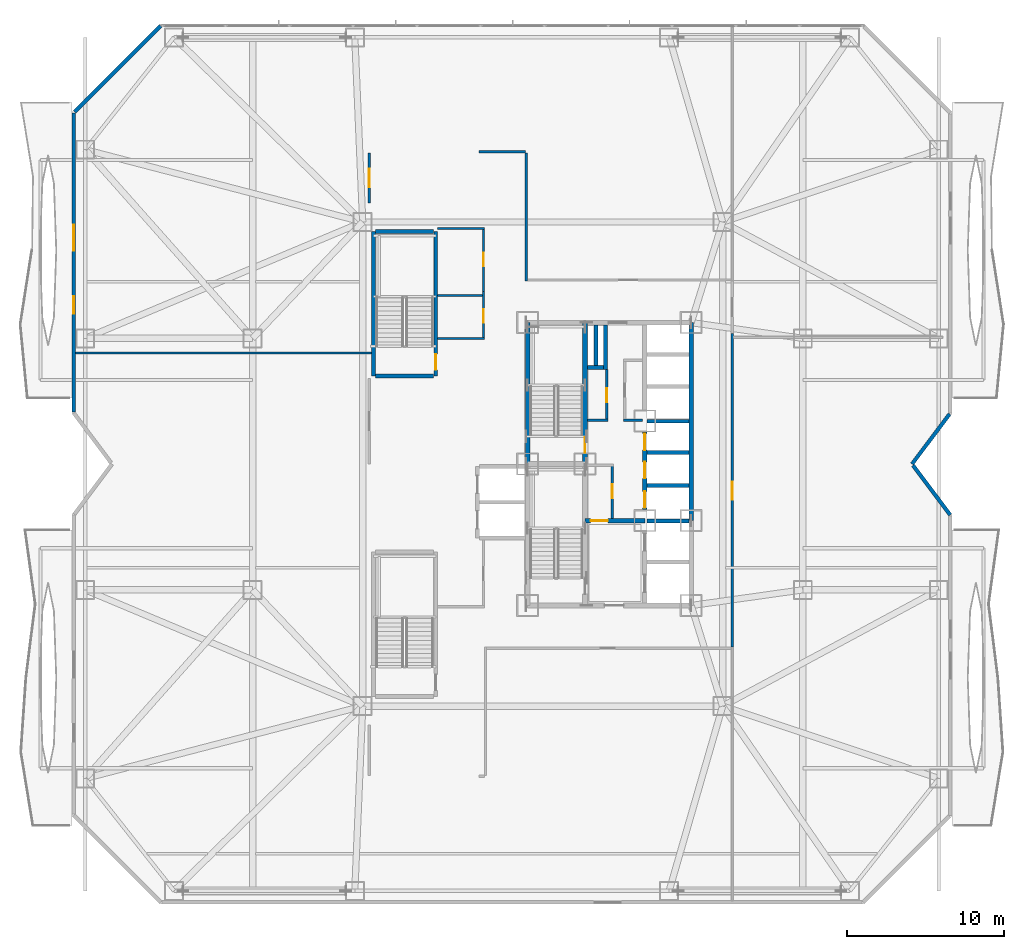
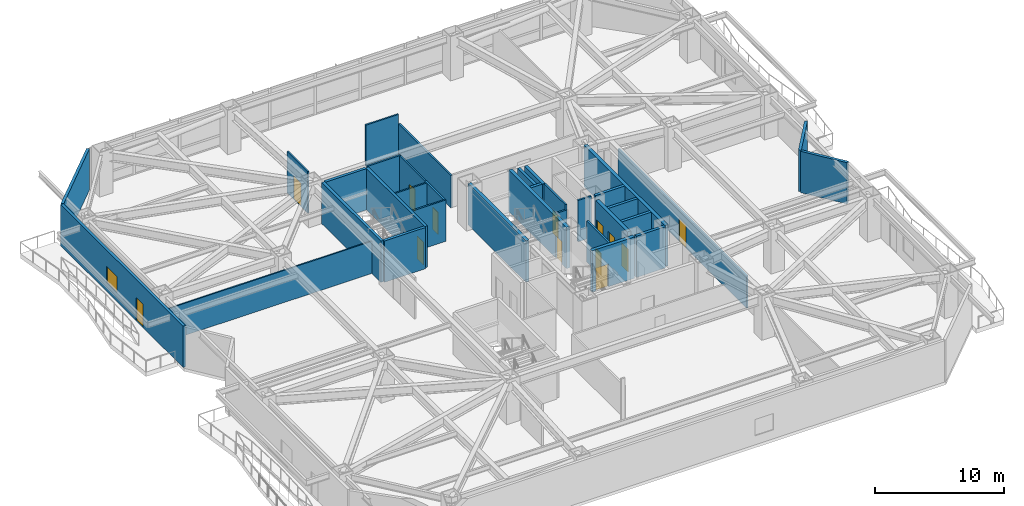
# One storey, part 17 of 24: 34 walls, 13 doors, 1 window, 14 openings.
"""IFC4 building model written with IfcOpenShell, lengths in metres."""

from ifc_helpers import new_model, si_unit, direction, frame, frame_2d, origin, place, context, subcontext, project, spatial, rectangle, extrude, material, layer, layer_set, type_object, element, fill, save


model = new_model("IFC4")

# Units and contexts
model_context = context("Model", 3, precision=1e-05, world=origin(), true_north=direction((0.0, 1.0)))
body_context = subcontext(model_context, "Body", "Model", "MODEL_VIEW")
ifc_project = project(units=[si_unit("LENGTHUNIT", "METRE"), si_unit("AREAUNIT", "SQUARE_METRE"), si_unit("VOLUMEUNIT", "CUBIC_METRE"), si_unit("PLANEANGLEUNIT", "RADIAN"), si_unit("MASSUNIT", "GRAM", prefix="KILO")], contexts=[model_context])

# Site, building, storey
site_placement = place(None, origin())
site = spatial("IfcSite", under=ifc_project, at=site_placement, CompositionType="ELEMENT")
building_placement = place(site_placement, origin())
building = spatial("IfcBuilding", under=site, at=building_placement, Name="Khamvora Tower", CompositionType="ELEMENT")
storey_placement = place(building_placement, frame((0.0, 0.0, 20.39990234375)))
storey = spatial("IfcBuildingStorey", under=building, at=storey_placement, Name="L04", CompositionType="ELEMENT", Elevation=20.39990234375)

# Walls
ifc_material_1 = material(Name="Concrete C50/60", Category="concrete")
ifc_layer_1 = layer(ifc_material_1, 0.300048828125)
ifc_layer_set_1 = layer_set([ifc_layer_1], Name="Concrete C50/60")
wall_type_1 = type_object("IfcWallType", Name="WAL-CORE-300", PredefinedType="SHEAR", material=ifc_layer_set_1)
wall_1_placement = place(storey_placement, frame((29.0, 28.0, 0.0), z_axis=(0.0, 0.0, 1.0), x_axis=(0.0, 1.0, 0.0)))
element("IfcWall", 1, at=wall_1_placement, inside=storey, type_object=wall_type_1, Name="L04 central core west north wall", PredefinedType="SHEAR", context=body_context, shape_type="SweptSolid", body=[
    extrude(rectangle(XDim=9.0, YDim=0.300048828125, at=frame_2d((4.5, 0.0))), origin(), (0.0, 0.0, 1.0), 3.920166015625),
])
wall_2_placement = place(storey_placement, frame((39.39990234375, 24.39990234375, 0.0), z_axis=(0.0, 0.0, 1.0), x_axis=(0.0, 1.0, 0.0)))
element("IfcWall", 2, at=wall_2_placement, inside=storey, type_object=wall_type_1, Name="L04 central core east north wall", PredefinedType="SHEAR", context=body_context, shape_type="SweptSolid", body=[
    extrude(rectangle(XDim=12.60009765625, YDim=0.300048828125, at=frame_2d((6.300048828125, 0.0))), origin(), (0.0, 0.0, 1.0), 3.920166015625),
])

# Wall, opening, door
wall_3_placement = place(storey_placement, frame((32.64990234375, 28.0, 0.0), z_axis=(0.0, 0.0, 1.0), x_axis=(0.0, 1.0, 0.0)))
wall_3 = element("IfcWall", 3, at=wall_3_placement, inside=storey, type_object=wall_type_1, Name="L04 central core stair north spine wall", PredefinedType="SHEAR", context=body_context, shape_type="SweptSolid", body=[
    extrude(rectangle(XDim=9.0, YDim=0.300048828125, at=frame_2d((4.5, 0.0))), origin(), (0.0, 0.0, 1.0), 3.920166015625),
])
opening_1_placement = place(wall_3_placement, frame((0.719970703125, 0.0, 0.0)))
opening_1 = element("IfcOpeningElement", 4, at=opening_1_placement, cuts=wall_3, Name="Opening D-ST1", PredefinedType="OPENING", context=body_context, shape_type="SweptSolid", body=[
    extrude(rectangle(XDim=1.0, YDim=2.14990234375, at=frame_2d((0.5, 1.074951171875))), frame((0.0, 0.159912109375, 0.0), z_axis=(0.0, -1.0, 0.0), x_axis=(1.0, 0.0, 0.0)), (0.0, 0.0, 1.0), 0.320068359375),
])
ifc_material_2 = material(Name="Powder-Coated Steel and Hardwood Leaf", Category="steel")
door_type_1 = type_object("IfcDoorType", Name="DOR-STAIR-1000", OperationType="NOTDEFINED", PredefinedType="DOOR", material=ifc_material_2)
door_1_placement = place(opening_1_placement, origin())
door_1 = element("IfcDoor", 5, at=door_1_placement, inside=storey, type_object=door_type_1, Name="L04 exit stair ST-02 fire door", OperationType="SINGLE_SWING_RIGHT", OverallHeight=2.14990234375, OverallWidth=1.0, PredefinedType="DOOR", context=body_context, shape_type="SweptSolid", body=[
    extrude(rectangle(XDim=1.0, YDim=2.14990234375, at=frame_2d((0.5, 1.074951171875))), frame((0.0, 0.02490234375, 0.0), z_axis=(0.0, -1.0, 0.0), x_axis=(1.0, 0.0, 0.0)), (0.0, 0.0, 1.0), 0.050048828125),
])
fill(opening_1, door_1)

wall_4_placement = place(storey_placement, frame((32.64990234375, 24.39990234375, 0.0), z_axis=(0.0, 0.0, 1.0), x_axis=(1.0, 0.0, 0.0)))
wall_4 = element("IfcWall", 6, at=wall_4_placement, inside=storey, type_object=wall_type_1, Name="L04 central core firefighting lobby north wall", PredefinedType="SHEAR", context=body_context, shape_type="SweptSolid", body=[
    extrude(rectangle(XDim=3.800048828125, YDim=0.300048828125, at=frame_2d((1.89990234375, 0.0))), origin(), (0.0, 0.0, 1.0), 3.920166015625),
])
opening_2_placement = place(wall_4_placement, frame((0.35009765625, 0.0, 0.0)))
opening_2 = element("IfcOpeningElement", 7, at=opening_2_placement, cuts=wall_4, Name="Opening D-FF1", PredefinedType="OPENING", context=body_context, shape_type="SweptSolid", body=[
    extrude(rectangle(XDim=1.10009765625, YDim=2.14990234375, at=frame_2d((0.550048828125, 1.074951171875))), frame((0.0, 0.159912109375, 0.0), z_axis=(0.0, -1.0, 0.0), x_axis=(1.0, 0.0, 0.0)), (0.0, 0.0, 1.0), 0.320068359375),
])
door_type_2 = type_object("IfcDoorType", Name="DOR-FFLOB-1100", OperationType="NOTDEFINED", PredefinedType="DOOR", material=ifc_material_2)
door_2_placement = place(opening_2_placement, origin())
door_2 = element("IfcDoor", 8, at=door_2_placement, inside=storey, type_object=door_type_2, Name="L04 firefighting lobby smoke-seal fire door", OperationType="SINGLE_SWING_RIGHT", OverallHeight=2.14990234375, OverallWidth=1.10009765625, PredefinedType="DOOR", context=body_context, shape_type="SweptSolid", body=[
    extrude(rectangle(XDim=1.10009765625, YDim=2.14990234375, at=frame_2d((0.550048828125, 1.074951171875))), frame((0.0, 0.02490234375, 0.0), z_axis=(0.0, -1.0, 0.0), x_axis=(1.0, 0.0, 0.0)), (0.0, 0.0, 1.0), 0.050048828125),
])
fill(opening_2, door_2)

# Wall, openings, doors
wall_5_placement = place(storey_placement, frame((36.449951171875, 25.10009765625, 0.0), z_axis=(0.0, 0.0, 1.0), x_axis=(0.0, 1.0, 0.0)))
wall_5 = element("IfcWall", 9, at=wall_5_placement, inside=storey, type_object=wall_type_1, Name="L04 central core lift bank central wall", PredefinedType="SHEAR", context=body_context, shape_type="SweptSolid", body=[
    extrude(rectangle(XDim=4.949951171875, YDim=0.300048828125, at=frame_2d((2.47509765625, 0.0))), origin(), (0.0, 0.0, 1.0), 3.920166015625),
])
opening_3_placement = place(wall_5_placement, frame((0.1201171875, 0.0, 0.0)))
opening_3 = element("IfcOpeningElement", 10, at=opening_3_placement, cuts=wall_5, Name="Opening LD-PL", PredefinedType="OPENING", context=body_context, shape_type="SweptSolid", body=[
    extrude(rectangle(XDim=1.050048828125, YDim=2.14990234375, at=frame_2d((0.52490234375, 1.074951171875))), frame((0.0, 0.159912109375, 0.0), z_axis=(0.0, -1.0, 0.0), x_axis=(1.0, 0.0, 0.0)), (0.0, 0.0, 1.0), 0.320068359375),
])
opening_4_placement = place(wall_5_placement, frame((1.9951171875, 0.0, 0.0)))
opening_4 = element("IfcOpeningElement", 11, at=opening_4_placement, cuts=wall_5, Name="Opening LD-PL", PredefinedType="OPENING", context=body_context, shape_type="SweptSolid", body=[
    extrude(rectangle(XDim=1.050048828125, YDim=2.14990234375, at=frame_2d((0.52490234375, 1.074951171875))), frame((0.0, 0.159912109375, 0.0), z_axis=(0.0, -1.0, 0.0), x_axis=(1.0, 0.0, 0.0)), (0.0, 0.0, 1.0), 0.320068359375),
])
opening_5_placement = place(wall_5_placement, frame((3.794921875, 0.0, 0.0)))
opening_5 = element("IfcOpeningElement", 12, at=opening_5_placement, cuts=wall_5, Name="Opening LD-PL", PredefinedType="OPENING", context=body_context, shape_type="SweptSolid", body=[
    extrude(rectangle(XDim=1.050048828125, YDim=2.14990234375, at=frame_2d((0.52490234375, 1.074951171875))), frame((0.0, 0.159912109375, 0.0), z_axis=(0.0, -1.0, 0.0), x_axis=(1.0, 0.0, 0.0)), (0.0, 0.0, 1.0), 0.320068359375),
])
door_type_3 = type_object("IfcDoorType", Name="DOR-LIFT-1050", OperationType="SLIDING_TO_LEFT", PredefinedType="DOOR", material=ifc_material_2)
door_3_placement = place(opening_3_placement, origin())
door_3 = element("IfcDoor", 13, at=door_3_placement, inside=storey, type_object=door_type_3, Name="L04 lift landing sliding door PL-01", OperationType="SLIDING_TO_LEFT", OverallHeight=2.14990234375, OverallWidth=1.050048828125, PredefinedType="DOOR", context=body_context, shape_type="SweptSolid", body=[
    extrude(rectangle(XDim=1.050048828125, YDim=2.14990234375, at=frame_2d((0.52490234375, 1.074951171875))), frame((0.0, 0.02490234375, 0.0), z_axis=(0.0, -1.0, 0.0), x_axis=(1.0, 0.0, 0.0)), (0.0, 0.0, 1.0), 0.050048828125),
])
fill(opening_3, door_3)
door_4_placement = place(opening_4_placement, origin())
door_4 = element("IfcDoor", 14, at=door_4_placement, inside=storey, type_object=door_type_3, Name="L04 lift landing sliding door PL-02", OperationType="SLIDING_TO_LEFT", OverallHeight=2.14990234375, OverallWidth=1.050048828125, PredefinedType="DOOR", context=body_context, shape_type="SweptSolid", body=[
    extrude(rectangle(XDim=1.050048828125, YDim=2.14990234375, at=frame_2d((0.52490234375, 1.074951171875))), frame((0.0, 0.02490234375, 0.0), z_axis=(0.0, -1.0, 0.0), x_axis=(1.0, 0.0, 0.0)), (0.0, 0.0, 1.0), 0.050048828125),
])
fill(opening_4, door_4)
door_5_placement = place(opening_5_placement, origin())
door_5 = element("IfcDoor", 15, at=door_5_placement, inside=storey, type_object=door_type_3, Name="L04 lift landing sliding door PL-03", OperationType="SLIDING_TO_LEFT", OverallHeight=2.14990234375, OverallWidth=1.050048828125, PredefinedType="DOOR", context=body_context, shape_type="SweptSolid", body=[
    extrude(rectangle(XDim=1.050048828125, YDim=2.14990234375, at=frame_2d((0.52490234375, 1.074951171875))), frame((0.0, 0.02490234375, 0.0), z_axis=(0.0, -1.0, 0.0), x_axis=(1.0, 0.0, 0.0)), (0.0, 0.0, 1.0), 0.050048828125),
])
fill(opening_5, door_5)

# Walls
ifc_material_3 = material(Name="Fire-Rated Drywall and Steel Stud", Category="steel")
ifc_layer_2 = layer(ifc_material_3, 0.14990234375)
ifc_layer_set_2 = layer_set([ifc_layer_2], Name="Fire-Rated Drywall and Steel Stud")
wall_type_2 = type_object("IfcWallType", Name="WAL-CORR-150", PredefinedType="STANDARD", material=ifc_layer_set_2)
wall_6_placement = place(storey_placement, frame((35.10205078125, 30.784912109375, 0.0), z_axis=(0.0, 0.0, 1.0), x_axis=(1.0, 0.0, 0.0)))
element("IfcWall", 16, at=wall_6_placement, inside=storey, type_object=wall_type_2, Name="L04 interior partition wall 003", PredefinedType="STANDARD", context=body_context, shape_type="SweptSolid", body=[
    extrude(rectangle(XDim=1.197998046875, YDim=0.14990234375, at=frame_2d((0.59912109375, 0.0))), origin(), (0.0, 0.0, 1.0), 3.920166015625),
])
wall_7_placement = place(storey_placement, frame((32.7939453125, 30.784912109375, 0.0), z_axis=(0.0, 0.0, 1.0), x_axis=(1.0, 0.0, 0.0)))
element("IfcWall", 17, at=wall_7_placement, inside=storey, type_object=wall_type_2, Name="L04 interior partition wall 004", PredefinedType="STANDARD", context=body_context, shape_type="SweptSolid", body=[
    extrude(rectangle(XDim=1.30615234375, YDim=0.14990234375, at=frame_2d((0.653076171875, 0.0))), origin(), (0.0, 0.0, 1.0), 3.377197265625),
])

# Wall, opening, door
wall_8_placement = place(storey_placement, frame((34.034912109375, 30.719970703125, 0.0), z_axis=(0.0, 0.0, 1.0), x_axis=(0.0, 1.0, 0.0)))
wall_8 = element("IfcWall", 18, at=wall_8_placement, inside=storey, type_object=wall_type_2, Name="L04 interior partition wall 005", PredefinedType="STANDARD", context=body_context, shape_type="SweptSolid", body=[
    extrude(rectangle(XDim=3.300048828125, YDim=0.14990234375, at=frame_2d((1.64990234375, 0.0))), origin(), (0.0, 0.0, 1.0), 3.920166015625),
])
opening_6_placement = place(wall_8_placement, frame((1.199951171875, 0.0, 0.0)))
opening_6 = element("IfcOpeningElement", 19, at=opening_6_placement, cuts=wall_8, Name="Opening D-RM1", PredefinedType="OPENING", context=body_context, shape_type="SweptSolid", body=[
    extrude(rectangle(XDim=0.89990234375, YDim=2.10009765625, at=frame_2d((0.449951171875, 1.050048828125))), frame((0.0, 0.0849609375, 0.0), z_axis=(0.0, -1.0, 0.0), x_axis=(1.0, 0.0, 0.0)), (0.0, 0.0, 1.0), 0.169921875),
])
door_type_4 = type_object("IfcDoorType", Name="DOR-ROOM-900", OperationType="NOTDEFINED", PredefinedType="DOOR", material=ifc_material_2)
door_6_placement = place(opening_6_placement, origin())
door_6 = element("IfcDoor", 20, at=door_6_placement, inside=storey, type_object=door_type_4, Name="L04 interior door PLL-CS2", OperationType="SINGLE_SWING_RIGHT", OverallHeight=2.10009765625, OverallWidth=0.89990234375, PredefinedType="DOOR", context=body_context, shape_type="SweptSolid", body=[
    extrude(rectangle(XDim=0.89990234375, YDim=2.10009765625, at=frame_2d((0.449951171875, 1.050048828125))), frame((0.0, 0.02490234375, 0.0), z_axis=(0.0, -1.0, 0.0), x_axis=(1.0, 0.0, 0.0)), (0.0, 0.0, 1.0), 0.050048828125),
])
fill(opening_6, door_6)

wall_9_placement = place(storey_placement, frame((34.385009765625, 24.5439453125, 0.0), z_axis=(0.0, 0.0, 1.0), x_axis=(0.0, 1.0, 0.0)))
wall_9 = element("IfcWall", 21, at=wall_9_placement, inside=storey, type_object=wall_type_2, Name="L04 interior partition wall 006", PredefinedType="STANDARD", context=body_context, shape_type="SweptSolid", body=[
    extrude(rectangle(XDim=3.4560546875, YDim=0.14990234375, at=frame_2d((1.72802734375, 0.0))), origin(), (0.0, 0.0, 1.0), 3.920166015625),
])
opening_7_placement = place(wall_9_placement, frame((1.278076171875, 0.0, 0.0)))
opening_7 = element("IfcOpeningElement", 22, at=opening_7_placement, cuts=wall_9, Name="Opening D-RM1", PredefinedType="OPENING", context=body_context, shape_type="SweptSolid", body=[
    extrude(rectangle(XDim=0.89990234375, YDim=2.10009765625, at=frame_2d((0.449951171875, 1.050048828125))), frame((0.0, 0.0849609375, 0.0), z_axis=(0.0, -1.0, 0.0), x_axis=(1.0, 0.0, 0.0)), (0.0, 0.0, 1.0), 0.169921875),
])
door_7_placement = place(opening_7_placement, origin())
door_7 = element("IfcDoor", 23, at=door_7_placement, inside=storey, type_object=door_type_4, Name="L04 interior door PLL-CS3", OperationType="SINGLE_SWING_LEFT", OverallHeight=2.10009765625, OverallWidth=0.89990234375, PredefinedType="DOOR", context=body_context, shape_type="SweptSolid", body=[
    extrude(rectangle(XDim=0.89990234375, YDim=2.10009765625, at=frame_2d((0.449951171875, 1.050048828125))), frame((0.0, 0.02490234375, 0.0), z_axis=(0.0, -1.0, 0.0), x_axis=(1.0, 0.0, 0.0)), (0.0, 0.0, 1.0), 0.050048828125),
])
fill(opening_7, door_7)

# Wall
wall_10_placement = place(storey_placement, frame((23.26708984375, 35.985107421875, 0.0), z_axis=(0.0, 0.0, 1.0), x_axis=(1.0, 0.0, 0.0)))
element("IfcWall", 24, at=wall_10_placement, inside=storey, type_object=wall_type_2, Name="L04 interior partition wall 010", PredefinedType="STANDARD", context=body_context, shape_type="SweptSolid", body=[
    extrude(rectangle(XDim=2.98291015625, YDim=0.14990234375, at=frame_2d((1.491455078125, 0.0))), origin(), (0.0, 0.0, 1.0), 3.920166015625),
])

# Wall, opening, door
wall_11_placement = place(storey_placement, frame((26.18505859375, 35.922119140625, 0.0), z_axis=(0.0, 0.0, 1.0), x_axis=(0.0, 1.0, 0.0)))
wall_11 = element("IfcWall", 25, at=wall_11_placement, inside=storey, type_object=wall_type_2, Name="L04 interior partition wall 011", PredefinedType="STANDARD", context=body_context, shape_type="SweptSolid", body=[
    extrude(rectangle(XDim=3.0419921875, YDim=0.14990234375, at=frame_2d((1.52099609375, 0.0))), origin(), (0.0, 0.0, 1.0), 3.920166015625),
])
opening_8_placement = place(wall_11_placement, frame((1.074951171875, 0.0, 0.0)))
opening_8 = element("IfcOpeningElement", 26, at=opening_8_placement, cuts=wall_11, Name="Opening D-WC1", PredefinedType="OPENING", context=body_context, shape_type="SweptSolid", body=[
    extrude(rectangle(XDim=0.85009765625, YDim=2.10009765625, at=frame_2d((0.425048828125, 1.050048828125))), frame((0.0, 0.0849609375, 0.0), z_axis=(0.0, -1.0, 0.0), x_axis=(1.0, 0.0, 0.0)), (0.0, 0.0, 1.0), 0.169921875),
])
door_type_5 = type_object("IfcDoorType", Name="DOR-WET-850", OperationType="NOTDEFINED", PredefinedType="DOOR", material=ifc_material_2)
door_8_placement = place(opening_8_placement, origin())
door_8 = element("IfcDoor", 27, at=door_8_placement, inside=storey, type_object=door_type_5, Name="L04 interior door SCOR-WCA", OperationType="SINGLE_SWING_LEFT", OverallHeight=2.10009765625, OverallWidth=0.85009765625, PredefinedType="DOOR", context=body_context, shape_type="SweptSolid", body=[
    extrude(rectangle(XDim=0.85009765625, YDim=2.10009765625, at=frame_2d((0.425048828125, 1.050048828125))), frame((0.0, 0.02490234375, 0.0), z_axis=(0.0, -1.0, 0.0), x_axis=(1.0, 0.0, 0.0)), (0.0, 0.0, 1.0), 0.050048828125),
])
fill(opening_8, door_8)

wall_12_placement = place(storey_placement, frame((26.18505859375, 38.964111328125, 0.0), z_axis=(0.0, 0.0, 1.0), x_axis=(0.0, 1.0, 0.0)))
wall_12 = element("IfcWall", 28, at=wall_12_placement, inside=storey, type_object=wall_type_2, Name="L04 interior partition wall 012", PredefinedType="STANDARD", context=body_context, shape_type="SweptSolid", body=[
    extrude(rectangle(XDim=4.0859375, YDim=0.14990234375, at=frame_2d((2.04296875, 0.0))), origin(), (0.0, 0.0, 1.0), 3.920166015625),
])
opening_9_placement = place(wall_12_placement, frame((1.617919921875, 0.0, 0.0)))
opening_9 = element("IfcOpeningElement", 29, at=opening_9_placement, cuts=wall_12, Name="Opening D-WC1", PredefinedType="OPENING", context=body_context, shape_type="SweptSolid", body=[
    extrude(rectangle(XDim=0.85009765625, YDim=2.10009765625, at=frame_2d((0.425048828125, 1.050048828125))), frame((0.0, 0.0849609375, 0.0), z_axis=(0.0, -1.0, 0.0), x_axis=(1.0, 0.0, 0.0)), (0.0, 0.0, 1.0), 0.169921875),
])
door_9_placement = place(opening_9_placement, origin())
door_9 = element("IfcDoor", 30, at=door_9_placement, inside=storey, type_object=door_type_5, Name="L04 interior door SCOR-WCF", OperationType="SINGLE_SWING_RIGHT", OverallHeight=2.10009765625, OverallWidth=0.85009765625, PredefinedType="DOOR", context=body_context, shape_type="SweptSolid", body=[
    extrude(rectangle(XDim=0.85009765625, YDim=2.10009765625, at=frame_2d((0.425048828125, 1.050048828125))), frame((0.0, 0.02490234375, 0.0), z_axis=(0.0, -1.0, 0.0), x_axis=(1.0, 0.0, 0.0)), (0.0, 0.0, 1.0), 0.050048828125),
])
fill(opening_9, door_9)

# Wall
wall_13_placement = place(storey_placement, frame((26.25, 42.985107421875, 0.0), z_axis=(0.0, 0.0, 1.0), x_axis=(-1.0, 0.0, 0.0)))
element("IfcWall", 31, at=wall_13_placement, inside=storey, type_object=wall_type_2, Name="L04 interior partition wall 013", PredefinedType="STANDARD", context=body_context, shape_type="SweptSolid", body=[
    extrude(rectangle(XDim=3.0, YDim=0.14990234375, at=frame_2d((1.5, 0.0))), origin(), (0.0, 0.0, 1.0), 3.920166015625),
])

# Wall, opening, door
wall_14_placement = place(storey_placement, frame((18.9150390625, 44.60009765625, 0.0), z_axis=(0.0, 0.0, 1.0), x_axis=(0.0, 1.0, 0.0)))
wall_14 = element("IfcWall", 32, at=wall_14_placement, inside=storey, type_object=wall_type_2, Name="L04 interior partition wall 016", PredefinedType="STANDARD", context=body_context, shape_type="SweptSolid", body=[
    extrude(rectangle(XDim=3.199951171875, YDim=0.14990234375, at=frame_2d((1.60009765625, 0.0))), origin(), (0.0, 0.0, 1.0), 3.920166015625),
])
opening_10_placement = place(wall_14_placement, frame((1.02490234375, 0.0, 0.0)))
opening_10 = element("IfcOpeningElement", 33, at=opening_10_placement, cuts=wall_14, Name="Opening D-SC1", PredefinedType="OPENING", context=body_context, shape_type="SweptSolid", body=[
    extrude(rectangle(XDim=1.14990234375, YDim=2.199951171875, at=frame_2d((0.574951171875, 1.10009765625))), frame((0.0, 0.0849609375, 0.0), z_axis=(0.0, -1.0, 0.0), x_axis=(1.0, 0.0, 0.0)), (0.0, 0.0, 1.0), 0.169921875),
])
door_type_6 = type_object("IfcDoorType", Name="DOR-SCHL-1150", OperationType="NOTDEFINED", PredefinedType="DOOR", material=ifc_material_2)
door_10_placement = place(opening_10_placement, origin())
door_10 = element("IfcDoor", 34, at=door_10_placement, inside=storey, type_object=door_type_6, Name="L04 interior door SCOR-CMP", OperationType="SINGLE_SWING_RIGHT", OverallHeight=2.199951171875, OverallWidth=1.14990234375, PredefinedType="DOOR", context=body_context, shape_type="SweptSolid", body=[
    extrude(rectangle(XDim=1.14990234375, YDim=2.199951171875, at=frame_2d((0.574951171875, 1.10009765625))), frame((0.0, 0.02490234375, 0.0), z_axis=(0.0, -1.0, 0.0), x_axis=(1.0, 0.0, 0.0)), (0.0, 0.0, 1.0), 0.050048828125),
])
fill(opening_10, door_10)

wall_15_placement = place(storey_placement, frame((42.014892578125, 36.31396484375, 0.0), z_axis=(0.0, 0.0, 1.0), x_axis=(0.0, -1.0, 0.0)))
wall_15 = element("IfcWall", 35, at=wall_15_placement, inside=storey, type_object=wall_type_2, Name="L04 interior partition wall 017", PredefinedType="STANDARD", context=body_context, shape_type="SweptSolid", body=[
    extrude(rectangle(XDim=19.9638671875, YDim=0.14990234375, at=frame_2d((9.98193359375, 0.0))), origin(), (0.0, 0.0, 1.0), 3.05517578125),
])
opening_11_placement = place(wall_15_placement, frame((9.427978515625, 0.0, 0.0)))
opening_11 = element("IfcOpeningElement", 36, at=opening_11_placement, cuts=wall_15, Name="Opening D-SC1", PredefinedType="OPENING", context=body_context, shape_type="SweptSolid", body=[
    extrude(rectangle(XDim=1.14990234375, YDim=2.199951171875, at=frame_2d((0.574951171875, 1.10009765625))), frame((0.0, 0.0849609375, 0.0), z_axis=(0.0, -1.0, 0.0), x_axis=(1.0, 0.0, 0.0)), (0.0, 0.0, 1.0), 0.169921875),
])
door_11_placement = place(opening_11_placement, origin())
door_11 = element("IfcDoor", 37, at=door_11_placement, inside=storey, type_object=door_type_6, Name="L04 interior door SCOR-MED", OperationType="SINGLE_SWING_LEFT", OverallHeight=2.199951171875, OverallWidth=1.14990234375, PredefinedType="DOOR", context=body_context, shape_type="SweptSolid", body=[
    extrude(rectangle(XDim=1.14990234375, YDim=2.199951171875, at=frame_2d((0.574951171875, 1.10009765625))), frame((0.0, 0.02490234375, 0.0), z_axis=(0.0, -1.0, 0.0), x_axis=(1.0, 0.0, 0.0)), (0.0, 0.0, 1.0), 0.050048828125),
])
fill(opening_11, door_11)

# Walls
wall_16_placement = place(storey_placement, frame((25.910888671875, 47.864990234375, 0.0), z_axis=(0.0, 0.0, 1.0), x_axis=(1.0, 0.0, 0.0)))
element("IfcWall", 38, at=wall_16_placement, inside=storey, type_object=wall_type_2, Name="L04 interior partition wall 022", PredefinedType="STANDARD", context=body_context, shape_type="SweptSolid", body=[
    extrude(rectangle(XDim=2.939208984375, YDim=0.14990234375, at=frame_2d((1.4697265625, 0.0))), origin(), (0.0, 0.0, 1.0), 3.920166015625),
])
wall_17_placement = place(storey_placement, frame((28.9150390625, 47.800048828125, 0.0), z_axis=(0.0, 0.0, 1.0), x_axis=(0.0, -1.0, 0.0)))
element("IfcWall", 39, at=wall_17_placement, inside=storey, type_object=wall_type_2, Name="L04 interior partition wall 023", PredefinedType="STANDARD", context=body_context, shape_type="SweptSolid", body=[
    extrude(rectangle(XDim=8.150146484375, YDim=0.14990234375, at=frame_2d((4.0751953125, 0.0))), origin(), (0.0, 0.0, 1.0), 3.05517578125),
])

# Wall, openings, door, window
ifc_material_4 = material(Name="Precast concrete C40/50", Category="concrete")
ifc_layer_3 = layer(ifc_material_4, 0.239990234375)
ifc_layer_set_3 = layer_set([ifc_layer_3], Name="Precast concrete C40/50")
wall_type_3 = type_object("IfcWallType", Name="WAL-EXT-240", PredefinedType="STANDARD", material=ifc_layer_set_3)
wall_18_placement = place(storey_placement, frame((0.1201171875, 31.303955078125, 0.0), z_axis=(0.0, 0.0, 1.0), x_axis=(0.0, 1.0, 0.0)))
wall_18 = element("IfcWall", 40, at=wall_18_placement, inside=storey, type_object=wall_type_3, Name="L04 exterior facade wall 05.1", PredefinedType="STANDARD", context=body_context, shape_type="SweptSolid", body=[
    extrude(rectangle(XDim=19.046142578125, YDim=0.239990234375, at=frame_2d((9.52294921875, 0.0))), origin(), (0.0, 0.0, 1.0), 3.920166015625),
])
opening_12_placement = place(wall_18_placement, frame((6.26806640625, 0.0, 0.0)))
opening_12 = element("IfcOpeningElement", 41, at=opening_12_placement, cuts=wall_18, Name="Opening BD-01", PredefinedType="OPENING", context=body_context, shape_type="SweptSolid", body=[
    extrude(rectangle(XDim=1.10009765625, YDim=2.199951171875, at=frame_2d((0.550048828125, 1.10009765625))), frame((0.0, 0.1298828125, 0.0), z_axis=(0.0, -1.0, 0.0), x_axis=(1.0, 0.0, 0.0)), (0.0, 0.0, 1.0), 0.260009765625),
])
opening_13_placement = place(wall_18_placement, frame((10.26611328125, 0.0, 0.85009765625)))
opening_13 = element("IfcOpeningElement", 42, at=opening_13_placement, cuts=wall_18, Name="Opening WN-06", PredefinedType="OPENING", context=body_context, shape_type="SweptSolid", body=[
    extrude(rectangle(XDim=1.64990234375, YDim=1.550048828125, at=frame_2d((0.824951171875, 0.77490234375))), frame((0.0, 0.1298828125, 0.0), z_axis=(0.0, -1.0, 0.0), x_axis=(1.0, 0.0, 0.0)), (0.0, 0.0, 1.0), 0.260009765625),
])
ifc_material_5 = material(Name="Anodised Aluminium and Laminated Safety Glass", Category="aluminium")
door_type_7 = type_object("IfcDoorType", Name="DOR-BAL-1100", OperationType="NOTDEFINED", PredefinedType="DOOR", material=ifc_material_5)
door_12_placement = place(opening_12_placement, origin())
door_12 = element("IfcDoor", 43, at=door_12_placement, inside=storey, type_object=door_type_7, Name="L04 lens gallery balcony door WL2", OperationType="SLIDING_TO_LEFT", OverallHeight=2.199951171875, OverallWidth=1.10009765625, PredefinedType="DOOR", context=body_context, shape_type="SweptSolid", body=[
    extrude(rectangle(XDim=1.10009765625, YDim=2.199951171875, at=frame_2d((0.550048828125, 1.10009765625))), frame((0.0, 0.02490234375, 0.0), z_axis=(0.0, -1.0, 0.0), x_axis=(1.0, 0.0, 0.0)), (0.0, 0.0, 1.0), 0.050048828125),
])
fill(opening_12, door_12)
ifc_material_6 = material(Name="Low-E Laminated Double Glazing", Category="glass")
window_type = type_object("IfcWindowType", Name="WIN-VIS-1650x1550", PartitioningType="SINGLE_PANEL", PredefinedType="WINDOW", material=ifc_material_6)
window_placement = place(opening_13_placement, origin())
window = element("IfcWindow", 44, at=window_placement, inside=storey, type_object=window_type, Name="L04 vision window 05.1.01", OverallHeight=1.550048828125, OverallWidth=1.64990234375, PartitioningType="SINGLE_PANEL", PredefinedType="WINDOW", context=body_context, shape_type="SweptSolid", body=[
    extrude(rectangle(XDim=1.64990234375, YDim=1.550048828125, at=frame_2d((0.824951171875, 0.77490234375))), frame((0.0, 0.030029296875, 0.0), z_axis=(0.0, -1.0, 0.0), x_axis=(1.0, 0.0, 0.0)), (0.0, 0.0, 1.0), 0.06005859375),
])
fill(opening_13, window)

# Walls
wall_19_placement = place(storey_placement, frame((0.175048828125, 50.405029296875, 0.0), z_axis=(0.0, 0.0, 1.0), x_axis=(0.707106781187, 0.707106781187, 0.0)))
element("IfcWall", 45, at=wall_19_placement, inside=storey, type_object=wall_type_3, Name="L04 exterior facade wall 06.1", PredefinedType="STANDARD", context=body_context, shape_type="SweptSolid", body=[
    extrude(rectangle(XDim=7.74267578125, YDim=0.239990234375, at=frame_2d((3.871337890625, 0.0))), origin(), (0.0, 0.0, 1.0), 3.920166015625),
])
wall_20_placement = place(storey_placement, frame((55.842041015625, 31.18896484375, 0.0), z_axis=(0.0, 0.0, 1.0), x_axis=(-0.600058791648, -0.799955902889, 0.0)))
element("IfcWall", 46, at=wall_20_placement, inside=storey, type_object=wall_type_3, Name="L04 exterior facade wall 10.1", PredefinedType="STANDARD", context=body_context, shape_type="SweptSolid", body=[
    extrude(rectangle(XDim=3.986328125, YDim=0.239990234375, at=frame_2d((1.9931640625, 0.0))), origin(), (0.0, 0.0, 1.0), 3.920166015625),
])
wall_21_placement = place(storey_placement, frame((53.512939453125, 27.916015625, 0.0), z_axis=(0.0, 0.0, 1.0), x_axis=(0.599990098106, -0.800007426325, 0.0)))
element("IfcWall", 47, at=wall_21_placement, inside=storey, type_object=wall_type_3, Name="L04 exterior facade wall 11.1", PredefinedType="STANDARD", context=body_context, shape_type="SweptSolid", body=[
    extrude(rectangle(XDim=3.945068359375, YDim=0.239990234375, at=frame_2d((1.97265625, 0.0))), origin(), (0.0, 0.0, 1.0), 3.920166015625),
])
ifc_material_7 = material(Name="Gypsum Plasterboard Partition", Category="gypsum")
ifc_layer_4 = layer(ifc_material_7, 0.1201171875)
ifc_layer_set_4 = layer_set([ifc_layer_4], Name="Gypsum Plasterboard Partition")
wall_type_4 = type_object("IfcWallType", Name="WAL-PART-120", PredefinedType="PARTITIONING", material=ifc_layer_set_4)
wall_22_placement = place(storey_placement, frame((0.23193359375, 35.06494140625, 0.0), z_axis=(0.0, 0.0, 1.0), x_axis=(1.0, 0.0, 0.0)))
element("IfcWall", 48, at=wall_22_placement, inside=storey, type_object=wall_type_4, Name="L04 interior partition wall 026", PredefinedType="PARTITIONING", context=body_context, shape_type="SweptSolid", body=[
    extrude(rectangle(XDim=18.84912109375, YDim=0.1201171875, at=frame_2d((9.424560546875, 0.0))), origin(), (0.0, 0.0, 1.0), 3.05517578125),
])
ifc_material_8 = material(Name="Concrete C40/50", Category="concrete")
ifc_layer_5 = layer(ifc_material_8, 0.25)
ifc_layer_set_5 = layer_set([ifc_layer_5], Name="Concrete C40/50")
wall_type_5 = type_object("IfcWallType", Name="WAL-PODS-250", PredefinedType="SHEAR", material=ifc_layer_set_5)
for number, where, z_axis, x_axis, name in (
    (49, (36.60400390625, 24.375, 0.0), (0.0, 0.0, 1.0), (1.0, 0.0, 0.0), "L04 lift shaft divider wall FFL-02"),
    (50, (36.60400390625, 26.625, 0.0), (0.0, 0.0, 1.0), (1.0, 0.0, 0.0), "L04 lift shaft divider wall PL-01"),
    (51, (36.60400390625, 28.72509765625, 0.0), (0.0, 0.0, 1.0), (1.0, 0.0, 0.0), "L04 lift shaft divider wall PL-02"),
    (52, (36.60400390625, 30.72509765625, 0.0), (0.0, 0.0, 1.0), (1.0, 0.0, 0.0), "L04 lift shaft divider wall PL-03"),
):
    element("IfcWall", number, at=place(storey_placement, frame(where, z_axis=z_axis, x_axis=x_axis)), inside=storey, type_object=wall_type_5, Name=name, PredefinedType="SHEAR", context=body_context, shape_type="SweptSolid", body=[
        extrude(rectangle(XDim=2.64208984375, YDim=0.25, at=frame_2d((1.321044921875, 0.0))), origin(), (0.0, 0.0, 1.0), 3.920166015625),
    ])
wall_23_placement = place(storey_placement, frame((33.955078125, 34.02490234375, 0.0), z_axis=(0.0, 0.0, 1.0), x_axis=(0.0, 1.0, 0.0)))
element("IfcWall", 53, at=wall_23_placement, inside=storey, type_object=wall_type_5, Name="L04 vertical MEP riser shaft east enclosure wall", PredefinedType="SHEAR", context=body_context, shape_type="SweptSolid", body=[
    extrude(rectangle(XDim=2.821044921875, YDim=0.25, at=frame_2d((1.41064453125, 0.0))), origin(), (0.0, 0.0, 1.0), 3.920166015625),
])
wall_24_placement = place(storey_placement, frame((32.803955078125, 34.14990234375, 0.0), z_axis=(0.0, 0.0, 1.0), x_axis=(1.0, 0.0, 0.0)))
element("IfcWall", 54, at=wall_24_placement, inside=storey, type_object=wall_type_5, Name="L04 vertical MEP riser shaft south enclosure wall", PredefinedType="SHEAR", context=body_context, shape_type="SweptSolid", body=[
    extrude(rectangle(XDim=1.02197265625, YDim=0.25, at=frame_2d((0.510986328125, 0.0))), origin(), (0.0, 0.0, 1.0), 3.920166015625),
])
wall_25_placement = place(storey_placement, frame((33.340087890625, 34.279052734375, 0.0), z_axis=(0.0, 0.0, 1.0), x_axis=(0.0, 1.0, 0.0)))
element("IfcWall", 55, at=wall_25_placement, inside=storey, type_object=wall_type_5, Name="L04 vertical MEP riser shaft divider enclosure wall", PredefinedType="SHEAR", context=body_context, shape_type="SweptSolid", body=[
    extrude(rectangle(XDim=2.56689453125, YDim=0.25, at=frame_2d((1.283447265625, 0.0))), origin(), (0.0, 0.0, 1.0), 3.920166015625),
])
wall_26_placement = place(storey_placement, frame((19.199951171875, 33.60009765625, 0.0), z_axis=(0.0, 0.0, 1.0), x_axis=(0.0, 1.0, 0.0)))
element("IfcWall", 56, at=wall_26_placement, inside=storey, type_object=wall_type_5, Name="L04 podium stair core wall st4 w", PredefinedType="SHEAR", context=body_context, shape_type="SweptSolid", body=[
    extrude(rectangle(XDim=9.199951171875, YDim=0.25, at=frame_2d((4.60009765625, 0.0))), origin(), (0.0, 0.0, 1.0), 3.920166015625),
])

# Wall, opening, door
wall_27_placement = place(storey_placement, frame((23.14990234375, 33.60009765625, 0.0), z_axis=(0.0, 0.0, 1.0), x_axis=(0.0, 1.0, 0.0)))
wall_27 = element("IfcWall", 57, at=wall_27_placement, inside=storey, type_object=wall_type_5, Name="L04 podium stair core wall st4 e", PredefinedType="SHEAR", context=body_context, shape_type="SweptSolid", body=[
    extrude(rectangle(XDim=9.199951171875, YDim=0.25, at=frame_2d((4.60009765625, 0.0))), origin(), (0.0, 0.0, 1.0), 3.920166015625),
])
opening_14_placement = place(wall_27_placement, frame((0.39990234375, 0.0, 0.0)))
opening_14 = element("IfcOpeningElement", 58, at=opening_14_placement, cuts=wall_27, Name="Opening D-ST1", PredefinedType="OPENING", context=body_context, shape_type="SweptSolid", body=[
    extrude(rectangle(XDim=1.0, YDim=2.14990234375, at=frame_2d((0.5, 1.074951171875))), frame((0.0, 0.135009765625, 0.0), z_axis=(0.0, -1.0, 0.0), x_axis=(1.0, 0.0, 0.0)), (0.0, 0.0, 1.0), 0.27001953125),
])
door_13_placement = place(opening_14_placement, origin())
door_13 = element("IfcDoor", 59, at=door_13_placement, inside=storey, type_object=door_type_1, Name="L04 podium stair ST4 enclosure door", OperationType="SINGLE_SWING_LEFT", OverallHeight=2.14990234375, OverallWidth=1.0, PredefinedType="DOOR", context=body_context, shape_type="SweptSolid", body=[
    extrude(rectangle(XDim=1.0, YDim=2.14990234375, at=frame_2d((0.5, 1.074951171875))), frame((0.0, 0.02490234375, 0.0), z_axis=(0.0, -1.0, 0.0), x_axis=(1.0, 0.0, 0.0)), (0.0, 0.0, 1.0), 0.050048828125),
])
fill(opening_14, door_13)

# Walls
for number, where, z_axis, x_axis, name in (
    (60, (19.3291015625, 33.60009765625, 0.0), (0.0, 0.0, 1.0), (1.0, 0.0, 0.0), "L04 podium stair core wall st4 s"),
    (61, (19.3291015625, 42.800048828125, 0.0), (0.0, 0.0, 1.0), (1.0, 0.0, 0.0), "L04 podium stair core wall st4 n"),
):
    element("IfcWall", number, at=place(storey_placement, frame(where, z_axis=z_axis, x_axis=x_axis)), inside=storey, type_object=wall_type_5, Name=name, PredefinedType="SHEAR", context=body_context, shape_type="SweptSolid", body=[
        extrude(rectangle(XDim=3.69189453125, YDim=0.25, at=frame_2d((1.845947265625, 0.0))), origin(), (0.0, 0.0, 1.0), 3.920166015625),
    ])
ifc_material_9 = material(Name="Moisture-Resistant Plasterboard Partition", Category="gypsum")
ifc_layer_6 = layer(ifc_material_9, 0.135009765625)
ifc_layer_set_6 = layer_set([ifc_layer_6], Name="Moisture-Resistant Plasterboard Partition")
wall_type_6 = type_object("IfcWallType", Name="WAL-WET-135", PredefinedType="PARTITIONING", material=ifc_layer_set_6)
wall_28_placement = place(storey_placement, frame((23.26708984375, 38.715087890625, 0.0), z_axis=(0.0, 0.0, 1.0), x_axis=(1.0, 0.0, 0.0)))
element("IfcWall", 62, at=wall_28_placement, inside=storey, type_object=wall_type_6, Name="L04 interior partition wall 025", PredefinedType="PARTITIONING", context=body_context, shape_type="SweptSolid", body=[
    extrude(rectangle(XDim=2.850830078125, YDim=0.135009765625, at=frame_2d((1.42529296875, 0.0))), origin(), (0.0, 0.0, 1.0), 3.920166015625),
])

save(model, "model.ifc")
